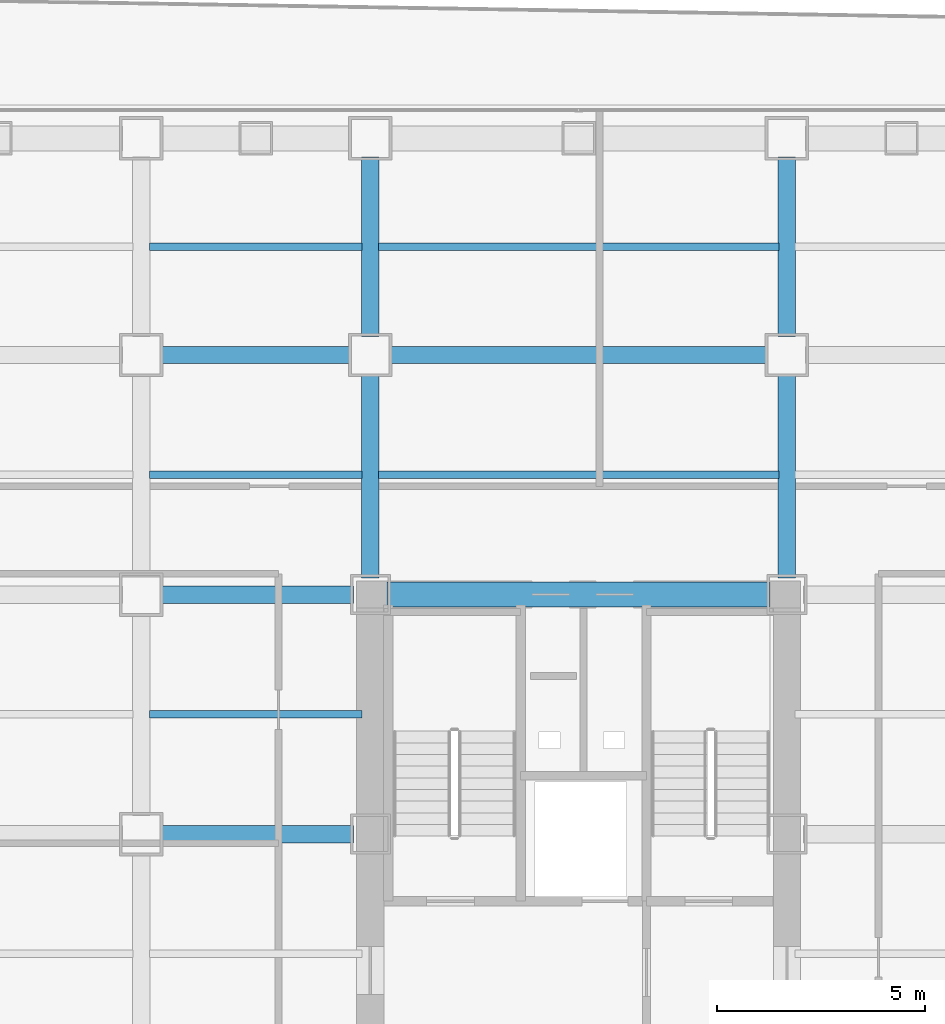
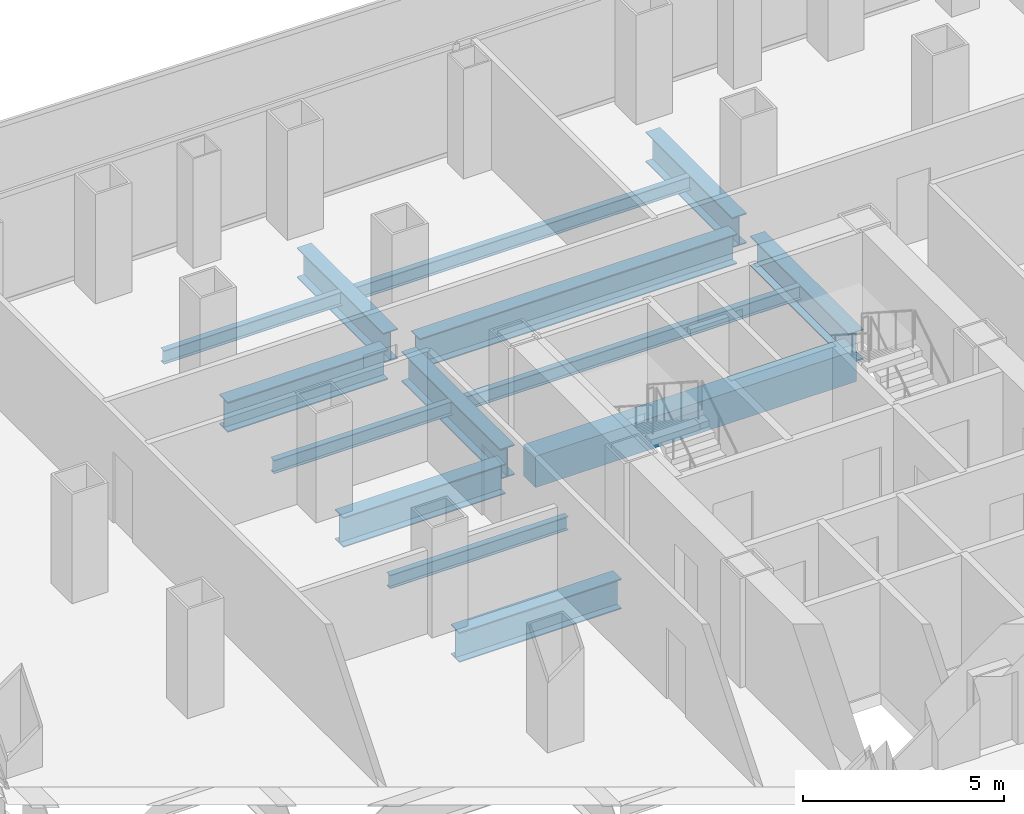
# One storey, part 13 of 27: 14 beams.
"""IFC4 building model written with IfcOpenShell, lengths in metres."""

import ifcopenshell
import ifcopenshell.guid

model = None  # the IFC model being written
_history = None  # IfcOwnerHistory: only IFC2X3 demands one
_inside = {}  # id of a spatial element -> (the spatial element, [elements in it])
_under = {}  # id of a project, library or spatial element -> (it, [spatial elements below it])
_declared = {}  # id of a project -> (the project, [libraries it declares])
_typed = {}  # id of a type object -> (the type object, [elements of that type])
_made_of = {}  # id of a material, layer set ... -> (it, [elements and type objects made of it])


def new_model(schema):
    """Start an empty IFC model of exactly this schema.

    Asked for "IFC4X3", IfcOpenShell would pick the latest addendum, in which some entities
    have other attributes; the version numbers below select the first issue.
    IFC2X3 requires an IfcOwnerHistory on every rooted entity: one is made here for all.
    """
    global model, _history
    if schema == "IFC4X3":
        model = ifcopenshell.file(schema_version=(4, 3, 0, 0))
    else:
        model = ifcopenshell.file(schema=schema)
    _inside.clear()
    _under.clear()
    _declared.clear()
    _typed.clear()
    _made_of.clear()
    _history = None
    if model.schema == "IFC2X3":
        org = make("IfcOrganization", Name="unknown")
        user = make(
            "IfcPersonAndOrganization",
            ThePerson=make("IfcPerson", FamilyName="unknown"),
            TheOrganization=org,
        )
        app = make(
            "IfcApplication",
            ApplicationDeveloper=org,
            Version="unknown",
            ApplicationFullName="unknown",
            ApplicationIdentifier="unknown",
        )
        _history = make(
            "IfcOwnerHistory",
            OwningUser=user,
            OwningApplication=app,
            ChangeAction="ADDED",
            CreationDate=0,
        )
    return model


def make(cls, **values):
    """One entity of the class cls with the attributes given. An attribute that is None is left unset."""
    return model.create_entity(
        cls, **{name: value for name, value in values.items() if value is not None}
    )


def rooted(cls, **values):
    """An entity with a GlobalId (a new one), such as an element, a storey or a relation."""
    return make(cls, GlobalId=ifcopenshell.guid.new(), OwnerHistory=_history, **values)


def si_unit(unit_type, name, prefix=None):
    """IfcSIUnit, for example si_unit("LENGTHUNIT", "METRE", prefix="MILLI")."""
    return make("IfcSIUnit", UnitType=unit_type, Prefix=prefix, Name=name)


def assignment(units):
    """IfcUnitAssignment: the units of a project."""
    return None if units is None else make("IfcUnitAssignment", Units=units)


def point(xyz):
    """IfcCartesianPoint."""
    return None if xyz is None else make("IfcCartesianPoint", Coordinates=xyz)


def direction(xyz):
    """IfcDirection."""
    return None if xyz is None else make("IfcDirection", DirectionRatios=xyz)


def frame(location, z_axis=None, x_axis=None):
    """IfcAxis2Placement3D, a coordinate frame: its origin and axes. An axis left out is left unset."""
    return make(
        "IfcAxis2Placement3D",
        Location=point(location),
        Axis=direction(z_axis),
        RefDirection=direction(x_axis),
    )


def frame_2d(location, x_axis=None):
    """IfcAxis2Placement2D, a coordinate frame in the plane: its origin and x axis."""
    return make(
        "IfcAxis2Placement2D", Location=point(location), RefDirection=direction(x_axis)
    )


def origin():
    """The frame at (0, 0, 0) with its axes left unset."""
    return frame((0.0, 0.0, 0.0))


def origin_2d():
    """The frame at (0, 0) in the plane with its x axis left unset."""
    return frame_2d((0.0, 0.0))


def place(relative_to, where):
    """IfcLocalPlacement: puts the frame where relative to a parent placement (None: the world)."""
    return make(
        "IfcLocalPlacement", PlacementRelTo=relative_to, RelativePlacement=where
    )


def context(
    kind, dimensions, precision=None, world=None, true_north=None, identifier=None
):
    """IfcGeometricRepresentationContext, for example the 3D "Model" context."""
    return make(
        "IfcGeometricRepresentationContext",
        ContextIdentifier=identifier,
        ContextType=kind,
        CoordinateSpaceDimension=dimensions,
        Precision=precision,
        WorldCoordinateSystem=world,
        TrueNorth=true_north,
    )


def subcontext(parent, identifier, kind, view, scale=None):
    """IfcGeometricRepresentationSubContext, for example "Body" below "Model"."""
    return make(
        "IfcGeometricRepresentationSubContext",
        ContextIdentifier=identifier,
        ContextType=kind,
        ParentContext=parent,
        TargetScale=scale,
        TargetView=view,
    )


def project(units=None, contexts=None):
    """IfcProject with its units and contexts."""
    return rooted(
        "IfcProject",
        Name="project",
        RepresentationContexts=contexts,
        UnitsInContext=assignment(units),
    )


def spatial(cls, under=None, at=None, **own):
    """A site, building, storey or space (cls), placed at a placement, below another one or the project."""
    s = rooted(cls, ObjectPlacement=at, **own)
    if under is not None:
        _under.setdefault(under.id(), (under, []))[1].append(s)
    return s


def profile(cls, at=None, kind="AREA", **sizes):
    """A parametric profile (cls). Its sizes go by their IFC names, for example OverallWidth=200.0."""
    return make(cls, ProfileType=kind, Position=at, **sizes)


def rectangle(**sizes):
    """IfcRectangleProfileDef."""
    return profile("IfcRectangleProfileDef", **sizes)


def i_section(**sizes):
    """IfcIShapeProfileDef."""
    return profile("IfcIShapeProfileDef", **sizes)


def extrude(swept, where, along, depth):
    """IfcExtrudedAreaSolid: the profile swept, set in the frame where, extruded along a direction by depth."""
    return make(
        "IfcExtrudedAreaSolid",
        SweptArea=swept,
        Position=where,
        ExtrudedDirection=direction(along),
        Depth=depth,
    )


def shape(context_of_items, identifier, shape_type, items):
    """IfcShapeRepresentation: the items that make up one representation, for example the "Body"."""
    return make(
        "IfcShapeRepresentation",
        ContextOfItems=context_of_items,
        RepresentationIdentifier=identifier,
        RepresentationType=shape_type,
        Items=items,
    )


def source(mapping_origin, context_of_items, identifier, shape_type, items):
    """IfcRepresentationMap: a shape defined once, which mapped items show again and again."""
    return make(
        "IfcRepresentationMap",
        MappingOrigin=mapping_origin,
        MappedRepresentation=shape(context_of_items, identifier, shape_type, items),
    )


def transform(
    local_origin,
    x_axis=None,
    y_axis=None,
    z_axis=None,
    scale=None,
    scale2=None,
    scale3=None,
    uniform=True,
):
    """IfcCartesianTransformationOperator3D, or its non-uniform kind. x_axis, y_axis, z_axis: its Axis1, 2, 3."""
    if uniform:
        return make(
            "IfcCartesianTransformationOperator3D",
            Axis1=direction(x_axis),
            Axis2=direction(y_axis),
            LocalOrigin=point(local_origin),
            Scale=scale,
            Axis3=direction(z_axis),
        )
    return make(
        "IfcCartesianTransformationOperator3DnonUniform",
        Axis1=direction(x_axis),
        Axis2=direction(y_axis),
        LocalOrigin=point(local_origin),
        Scale=scale,
        Axis3=direction(z_axis),
        Scale2=scale2,
        Scale3=scale3,
    )


def mapped(mapping_source, mapping_target):
    """IfcMappedItem: shows the shape of a source again, moved by a transform."""
    return make(
        "IfcMappedItem", MappingSource=mapping_source, MappingTarget=mapping_target
    )


def material(Name=None, Category=None):
    """IfcMaterial."""
    return make("IfcMaterial", Name=Name, Category=Category)


def material_profile(
    of_material, cross_section, Name=None, Category=None, Priority=None
):
    """IfcMaterialProfile: a cross section and its material."""
    return make(
        "IfcMaterialProfile",
        Name=Name,
        Material=of_material,
        Profile=cross_section,
        Priority=Priority,
        Category=Category,
    )


def profile_set(profiles, Name=None, composite=None):
    """IfcMaterialProfileSet."""
    return make(
        "IfcMaterialProfileSet",
        Name=Name,
        MaterialProfiles=profiles,
        CompositeProfile=composite,
    )


def made_of(thing, what):
    """Note that an element or type object is made of a material, layer set ...; save() writes the relation."""
    if what is not None:
        _made_of.setdefault(what.id(), (what, []))[1].append(thing)
    return thing


def type_object(cls, material=None, **own):
    """A type object (cls), such as IfcWallType, which elements share."""
    return made_of(rooted(cls, **own), material)


def element(
    cls,
    number,
    at=None,
    inside=None,
    cuts=None,
    type_object=None,
    material=None,
    context=None,
    identifier="Body",
    shape_type=None,
    held_by="IfcProductDefinitionShape",
    body=None,
    shapes=None,
    **own,
):
    """One element of the class cls, such as IfcWall. Its Tag is "e" and its number.

    at: its placement. inside: the storey or other place that contains it. cuts: it is an
    opening in that element (IfcRelVoidsElement). A single representation is given by context,
    identifier, shape_type and body (its items); several are given by shapes. held_by: the class
    of the entity that holds the representations. save() writes the other relations.
    """
    e = rooted(cls, Tag="e%d" % number, ObjectPlacement=at, **own)
    if body is not None:
        shapes = [shape(context, identifier, shape_type, body)]
    if shapes is not None:
        e.Representation = make(held_by, Representations=shapes)
    if inside is not None:
        _inside.setdefault(inside.id(), (inside, []))[1].append(e)
    if cuts is not None:
        rooted(
            "IfcRelVoidsElement", RelatingBuildingElement=cuts, RelatedOpeningElement=e
        )
    if type_object is not None:
        _typed.setdefault(type_object.id(), (type_object, []))[1].append(e)
    return made_of(e, material)


def aggregate(whole, parts):
    """IfcRelAggregates: a whole, such as a stair, and the parts it consists of."""
    return rooted("IfcRelAggregates", RelatingObject=whole, RelatedObjects=parts)


def save(model, path):
    """Write the relations noted so far, then the file.

    IfcRelAggregates (storeys below a building ...), IfcRelContainedInSpatialStructure (elements
    in a storey), IfcRelDefinesByType, IfcRelAssociatesMaterial and IfcRelDeclares: one each for
    every whole, place, type object, material and project.
    """
    for whole, parts in _under.values():
        aggregate(whole, parts)
    for where, things in _inside.values():
        rooted(
            "IfcRelContainedInSpatialStructure",
            RelatedElements=things,
            RelatingStructure=where,
        )
    for kind, things in _typed.values():
        rooted("IfcRelDefinesByType", RelatedObjects=things, RelatingType=kind)
    for what, things in _made_of.values():
        rooted("IfcRelAssociatesMaterial", RelatedObjects=things, RelatingMaterial=what)
    for by, libraries in _declared.values():
        rooted("IfcRelDeclares", RelatingContext=by, RelatedDefinitions=libraries)
    model.write(path)


model = new_model("IFC4")

# Units and contexts
model_context = context("Model", 3, precision=1e-05, world=origin(), true_north=direction((0.0, 1.0)))
body_context = subcontext(model_context, "Body", "Model", "MODEL_VIEW")
ifc_project = project(units=[si_unit("LENGTHUNIT", "METRE"), si_unit("AREAUNIT", "SQUARE_METRE"), si_unit("VOLUMEUNIT", "CUBIC_METRE"), si_unit("PLANEANGLEUNIT", "RADIAN"), si_unit("MASSUNIT", "GRAM", prefix="KILO")], contexts=[model_context])

# Site, building, storey
site_placement = place(None, origin())
site = spatial("IfcSite", under=ifc_project, at=site_placement, CompositionType="ELEMENT")
building_placement = place(site_placement, origin())
building = spatial("IfcBuilding", under=site, at=building_placement, Name="Kolveth Station Tower", CompositionType="ELEMENT")
storey_placement = place(building_placement, frame((0.0, 0.0, 22.5)))
storey = spatial("IfcBuildingStorey", under=building, at=storey_placement, Name="L05", CompositionType="ELEMENT", Elevation=22.5)

# Beams
ifc_material_1 = material(Name="Steel S355", Category="steel")
ifc_material_profile_1 = material_profile(ifc_material_1, i_section(OverallWidth=0.41796875, OverallDepth=0.912109375, WebThickness=0.019287109375, FlangeThickness=0.031982421875, at=origin_2d()), Name="W920x342")
ifc_profile_set_1 = profile_set([ifc_material_profile_1], Name="Steel S355")
beam_type_1 = type_object("IfcBeamType", Name="Beam_B1", PredefinedType="BEAM", material=ifc_profile_set_1)
shared_shape_1 = source(origin(), body_context, "Body", "SweptSolid", [
    extrude(i_section(OverallWidth=0.41796875, OverallDepth=0.912109375, WebThickness=0.019287109375, FlangeThickness=0.031982421875, at=origin_2d()), origin(), (0.0, 0.0, 1.0), 4.300048828125),
])
for number, where, z_axis, x_axis, name in (
    (1, (18.5, 34.949951171875, -0.81591796875), (0.0, 1.0, 0.0), (-1.0, 0.0, 0.0), "L05 Primary Girder BM-L05-GX185-7"),
    (2, (28.5, 34.949951171875, -0.81591796875), (0.0, 1.0, 0.0), (-1.0, 0.0, 0.0), "L05 Primary Girder BM-L05-GX285-7"),
):
    element("IfcBeam", number, at=place(storey_placement, frame(where, z_axis=z_axis, x_axis=x_axis)), inside=storey, type_object=beam_type_1, Name=name, PredefinedType="BEAM", context=body_context, shape_type="MappedRepresentation", body=[
        mapped(shared_shape_1, transform((0.0, 0.0, 0.0), x_axis=(1.0, 0.0, 0.0), y_axis=(0.0, 1.0, 0.0), z_axis=(0.0, 0.0, 1.0), scale=1.0)),
    ])
shared_shape_2 = source(origin(), body_context, "Body", "SweptSolid", [
    extrude(i_section(OverallWidth=0.41796875, OverallDepth=0.912109375, WebThickness=0.019287109375, FlangeThickness=0.031982421875, at=origin_2d()), origin(), (0.0, 0.0, 1.0), 4.60009765625),
])
beam_1_placement = place(storey_placement, frame((13.449951171875, 34.5, -0.81591796875), z_axis=(1.0, 0.0, 0.0), x_axis=(0.0, 1.0, 0.0)))
element("IfcBeam", 3, at=beam_1_placement, inside=storey, type_object=beam_type_1, Name="L05 Primary Girder BM-L05-GY345-3", PredefinedType="BEAM", context=body_context, shape_type="MappedRepresentation", body=[
    mapped(shared_shape_2, transform((0.0, 0.0, 0.0), x_axis=(1.0, 0.0, 0.0), y_axis=(0.0, 1.0, 0.0), z_axis=(0.0, 0.0, 1.0), scale=1.0)),
])
shared_shape_3 = source(origin(), body_context, "Body", "SweptSolid", [
    extrude(i_section(OverallWidth=0.41796875, OverallDepth=0.912109375, WebThickness=0.019287109375, FlangeThickness=0.031982421875, at=origin_2d()), origin(), (0.0, 0.0, 1.0), 9.10009765625),
])
beam_2_placement = place(storey_placement, frame((18.949951171875, 34.5, -0.81591796875), z_axis=(1.0, 0.0, 0.0), x_axis=(0.0, 1.0, 0.0)))
element("IfcBeam", 4, at=beam_2_placement, inside=storey, type_object=beam_type_1, Name="L05 Primary Girder BM-L05-GY345-4", PredefinedType="BEAM", context=body_context, shape_type="MappedRepresentation", body=[
    mapped(shared_shape_3, transform((0.0, 0.0, 0.0), x_axis=(1.0, 0.0, 0.0), y_axis=(0.0, 1.0, 0.0), z_axis=(0.0, 0.0, 1.0), scale=1.0)),
])
shared_shape_4 = source(origin(), body_context, "Body", "SweptSolid", [
    extrude(i_section(OverallWidth=0.41796875, OverallDepth=0.912109375, WebThickness=0.019287109375, FlangeThickness=0.031982421875, at=origin_2d()), origin(), (0.0, 0.0, 1.0), 4.650146484375),
])
for number, where, z_axis, x_axis, name in (
    (5, (13.449951171875, 23.0, -0.81591796875), (1.0, 0.0, 0.0), (0.0, 1.0, 0.0), "L05 Primary Girder BM-L05-GY230-3"),
    (6, (13.449951171875, 28.75, -0.81591796875), (1.0, 0.0, 0.0), (0.0, 1.0, 0.0), "L05 Primary Girder BM-L05-GY287-3"),
):
    element("IfcBeam", number, at=place(storey_placement, frame(where, z_axis=z_axis, x_axis=x_axis)), inside=storey, type_object=beam_type_1, Name=name, PredefinedType="BEAM", context=body_context, shape_type="MappedRepresentation", body=[
        mapped(shared_shape_4, transform((0.0, 0.0, 0.0), x_axis=(1.0, 0.0, 0.0), y_axis=(0.0, 1.0, 0.0), z_axis=(0.0, 0.0, 1.0), scale=1.0)),
    ])
ifc_material_2 = material(Name="Concrete C60/75", Category="concrete")
ifc_material_profile_2 = material_profile(ifc_material_2, rectangle(XDim=0.60009765625, YDim=0.949951171875, at=origin_2d()), Name="RC-600x950")
ifc_profile_set_2 = profile_set([ifc_material_profile_2], Name="Concrete C60/75")
beam_type_2 = type_object("IfcBeamType", Name="Beam_CB1", PredefinedType="BEAM", material=ifc_profile_set_2)
shared_shape_5 = source(origin(), body_context, "Body", "SweptSolid", [
    extrude(rectangle(XDim=0.60009765625, YDim=0.949951171875, at=origin_2d()), origin(), (0.0, 0.0, 1.0), 9.2001953125),
])
beam_3_placement = place(storey_placement, frame((18.89990234375, 28.75, -0.8349609375), z_axis=(1.0, 0.0, 0.0), x_axis=(0.0, 1.0, 0.0)))
element("IfcBeam", 7, at=beam_3_placement, inside=storey, type_object=beam_type_2, Name="L05 Core Coupling Beam BM-L05-CB-Y287", PredefinedType="BEAM", context=body_context, shape_type="MappedRepresentation", body=[
    mapped(shared_shape_5, transform((0.0, 0.0, 0.0), x_axis=(1.0, 0.0, 0.0), y_axis=(0.0, 1.0, 0.0), z_axis=(0.0, 0.0, 1.0), scale=1.0)),
])
shared_shape_6 = source(origin(), body_context, "Body", "SweptSolid", [
    extrude(i_section(OverallWidth=0.41796875, OverallDepth=0.912109375, WebThickness=0.019287109375, FlangeThickness=0.031982421875, at=origin_2d()), origin(), (0.0, 0.0, 1.0), 4.900146484375),
])
for number, where, z_axis, x_axis, name in (
    (8, (18.5, 29.14990234375, -0.81591796875), (0.0, 1.0, 0.0), (-1.0, 0.0, 0.0), "L05 Primary Girder BM-L05-GX185-6"),
    (9, (28.5, 29.14990234375, -0.81591796875), (0.0, 1.0, 0.0), (-1.0, 0.0, 0.0), "L05 Primary Girder BM-L05-GX285-6"),
):
    element("IfcBeam", number, at=place(storey_placement, frame(where, z_axis=z_axis, x_axis=x_axis)), inside=storey, type_object=beam_type_1, Name=name, PredefinedType="BEAM", context=body_context, shape_type="MappedRepresentation", body=[
        mapped(shared_shape_6, transform((0.0, 0.0, 0.0), x_axis=(1.0, 0.0, 0.0), y_axis=(0.0, 1.0, 0.0), z_axis=(0.0, 0.0, 1.0), scale=1.0)),
    ])
ifc_material_profile_3 = material_profile(ifc_material_1, i_section(OverallWidth=0.177978515625, OverallDepth=0.406982421875, WebThickness=0.0078125, FlangeThickness=0.0126953125, at=origin_2d()), Name="W410x60")
ifc_profile_set_3 = profile_set([ifc_material_profile_3], Name="Steel S355")
beam_type_3 = type_object("IfcBeamType", Name="Beam_J1", PredefinedType="JOIST", material=ifc_profile_set_3)
shared_shape_7 = source(origin(), body_context, "Body", "SweptSolid", [
    extrude(i_section(OverallWidth=0.177978515625, OverallDepth=0.406982421875, WebThickness=0.0078125, FlangeThickness=0.0126953125, at=origin_2d()), origin(), (0.0, 0.0, 1.0), 5.10986328125),
])
for number, where, z_axis, x_axis, name in (
    (10, (13.195068359375, 25.875, -0.5634765625), (1.0, 0.0, 0.0), (0.0, 1.0, 0.0), "L05 Secondary Joist JST-L05-3-5"),
    (11, (13.195068359375, 31.625, -0.5634765625), (1.0, 0.0, 0.0), (0.0, 1.0, 0.0), "L05 Secondary Joist JST-L05-3-6"),
    (12, (13.195068359375, 37.10009765625, -0.5634765625), (1.0, 0.0, 0.0), (0.0, 1.0, 0.0), "L05 Secondary Joist JST-L05-3-7"),
):
    element("IfcBeam", number, at=place(storey_placement, frame(where, z_axis=z_axis, x_axis=x_axis)), inside=storey, type_object=beam_type_3, Name=name, PredefinedType="JOIST", context=body_context, shape_type="MappedRepresentation", body=[
        mapped(shared_shape_7, transform((0.0, 0.0, 0.0), x_axis=(1.0, 0.0, 0.0), y_axis=(0.0, 1.0, 0.0), z_axis=(0.0, 0.0, 1.0), scale=1.0)),
    ])
shared_shape_8 = source(origin(), body_context, "Body", "SweptSolid", [
    extrude(i_section(OverallWidth=0.177978515625, OverallDepth=0.406982421875, WebThickness=0.0078125, FlangeThickness=0.0126953125, at=origin_2d()), origin(), (0.0, 0.0, 1.0), 9.60986328125),
])
for number, where, z_axis, x_axis, name in (
    (13, (18.695068359375, 31.625, -0.5634765625), (1.0, 0.0, 0.0), (0.0, 1.0, 0.0), "L05 Secondary Joist JST-L05-4-6"),
    (14, (18.695068359375, 37.10009765625, -0.5634765625), (1.0, 0.0, 0.0), (0.0, 1.0, 0.0), "L05 Secondary Joist JST-L05-4-7"),
):
    element("IfcBeam", number, at=place(storey_placement, frame(where, z_axis=z_axis, x_axis=x_axis)), inside=storey, type_object=beam_type_3, Name=name, PredefinedType="JOIST", context=body_context, shape_type="MappedRepresentation", body=[
        mapped(shared_shape_8, transform((0.0, 0.0, 0.0), x_axis=(1.0, 0.0, 0.0), y_axis=(0.0, 1.0, 0.0), z_axis=(0.0, 0.0, 1.0), scale=1.0)),
    ])

save(model, "model.ifc")
